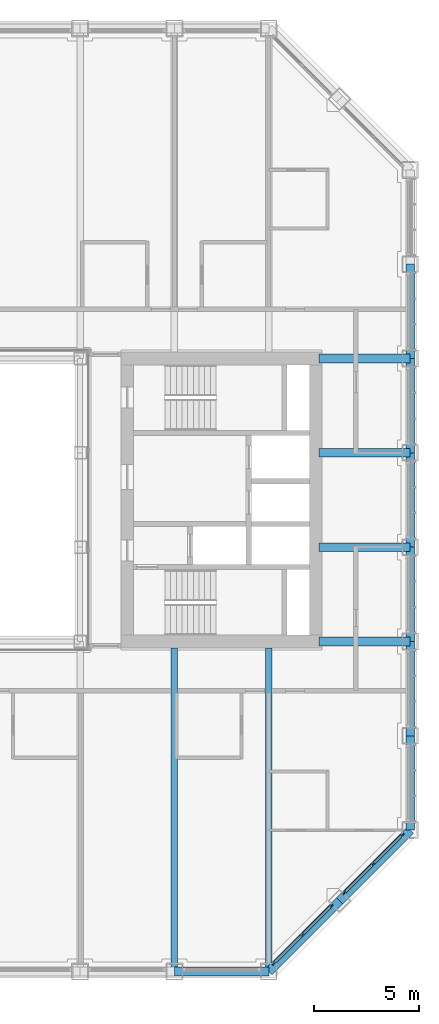
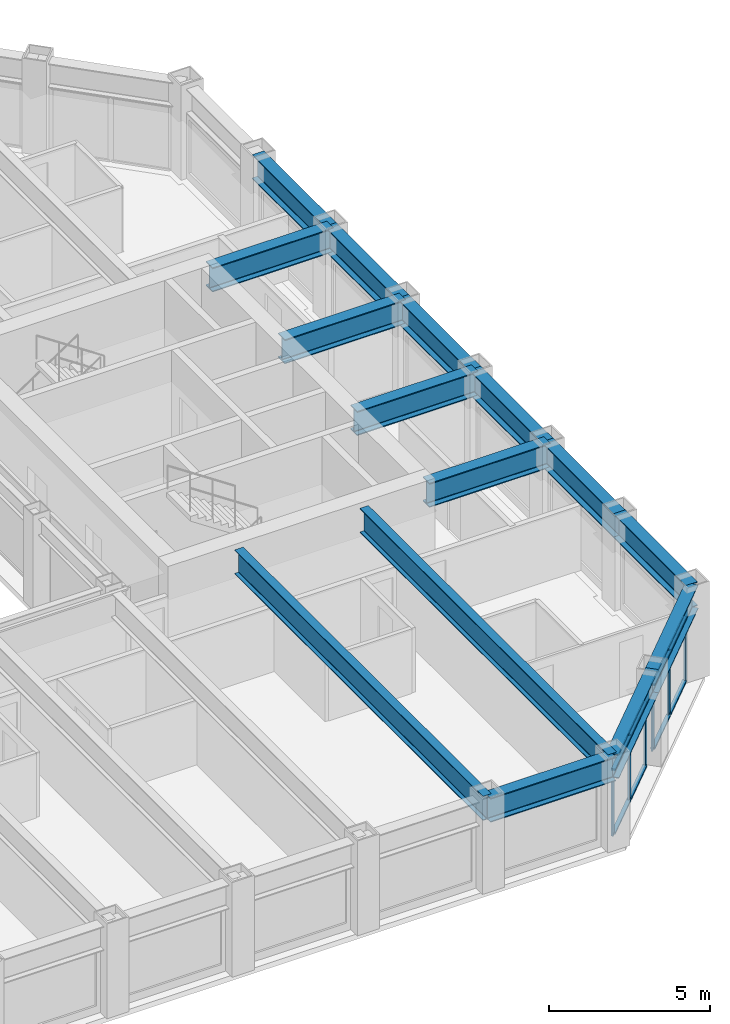
# One storey, part 6 of 17: 15 beams, 14 members, 2 elements without a shape of their own.
"""IFC4 building model written with IfcOpenShell, lengths in metres."""

from ifc_helpers import new_model, si_unit, direction, frame, origin, origin_2d, place, context, subcontext, project, spatial, rectangle, i_section, extrude, material, material_profile, profile_set, type_object, element, aggregate, save


model = new_model("IFC4")

# Units and contexts
model_context = context("Model", 3, precision=1e-05, world=origin(), true_north=direction((0.0, 1.0)))
body_context = subcontext(model_context, "Body", "Model", "MODEL_VIEW")
ifc_project = project(units=[si_unit("LENGTHUNIT", "METRE"), si_unit("AREAUNIT", "SQUARE_METRE"), si_unit("VOLUMEUNIT", "CUBIC_METRE"), si_unit("PLANEANGLEUNIT", "RADIAN"), si_unit("MASSUNIT", "GRAM", prefix="KILO")], contexts=[model_context])

# Site, building, storey
site_placement = place(None, origin())
site = spatial("IfcSite", under=ifc_project, at=site_placement, CompositionType="ELEMENT")
building_placement = place(site_placement, origin())
building = spatial("IfcBuilding", under=site, at=building_placement, Name="Msasa Ring Tower", CompositionType="ELEMENT")
storey_placement = place(building_placement, frame((0.0, 0.0, 158.0)))
storey = spatial("IfcBuildingStorey", under=building, at=storey_placement, Name="L41", CompositionType="ELEMENT", Elevation=158.0)

# Curtain wall, members
ifc_material_1 = material(Name="Aluminium curtain wall with clear glass", Category="aluminium")
curtain_wall_type = type_object("IfcCurtainWallType", Name="CW-C CHAMFER CORNER CURTAIN WALL", PredefinedType="NOTDEFINED", material=ifc_material_1)
curtain_wall_1_placement = place(storey_placement, origin())
curtain_wall_1 = element("IfcCurtainWall", 1, at=curtain_wall_1_placement, inside=storey, type_object=curtain_wall_type, Name="Chamfer corner curtain wall SE L41", PredefinedType="NOTDEFINED")
ifc_material_2 = material(Name="Aluminium mullion", Category="aluminium")
ifc_material_profile_1 = material_profile(ifc_material_2, rectangle(XDim=0.06494140625, YDim=0.179931640625, at=origin_2d()), Name="AL 65x180")
ifc_profile_set_1 = profile_set([ifc_material_profile_1], Name="Aluminium mullion")
member_type_1 = type_object("IfcMemberType", Name="CW-C MULLION 65x180", PredefinedType="MULLION", material=ifc_profile_set_1)
member_1_placement = place(storey_placement, frame((15.98876953125, -22.119873046875, 0.0), z_axis=(0.0, 0.0, 1.0), x_axis=(-0.707106781187, 0.707106781187, 0.0)))
member_1 = element("IfcMember", 2, at=member_1_placement, type_object=member_type_1, Name="CW-C mullion 1", PredefinedType="MULLION", context=body_context, shape_type="SweptSolid", body=[
    extrude(rectangle(XDim=0.06494140625, YDim=0.179931640625, at=origin_2d()), origin(), (0.0, 0.0, 1.0), 2.47900390625),
])
member_2_placement = place(storey_placement, frame((17.36669921875, -20.74169921875, 0.0), z_axis=(0.0, 0.0, 1.0), x_axis=(-0.707106781187, 0.707106781187, 0.0)))
member_2 = element("IfcMember", 3, at=member_2_placement, type_object=member_type_1, Name="CW-C mullion 2", PredefinedType="MULLION", context=body_context, shape_type="SweptSolid", body=[
    extrude(rectangle(XDim=0.06494140625, YDim=0.179931640625, at=origin_2d()), origin(), (0.0, 0.0, 1.0), 2.47900390625),
])
member_3_placement = place(storey_placement, frame((18.744873046875, -19.36376953125, 0.0), z_axis=(0.0, 0.0, 1.0), x_axis=(-0.707106781187, 0.707106781187, 0.0)))
member_3 = element("IfcMember", 4, at=member_3_placement, type_object=member_type_1, Name="CW-C mullion 3", PredefinedType="MULLION", context=body_context, shape_type="SweptSolid", body=[
    extrude(rectangle(XDim=0.06494140625, YDim=0.179931640625, at=origin_2d()), origin(), (0.0, 0.0, 1.0), 2.47900390625),
])

curtain_wall_2_placement = place(storey_placement, origin())
curtain_wall_2 = element("IfcCurtainWall", 5, at=curtain_wall_2_placement, inside=storey, type_object=curtain_wall_type, Name="Chamfer corner curtain wall SE L41", PredefinedType="NOTDEFINED")
member_4_placement = place(storey_placement, frame((19.36376953125, -18.744873046875, 0.0), z_axis=(0.0, 0.0, 1.0), x_axis=(-0.707106781187, 0.707106781187, 0.0)))
member_4 = element("IfcMember", 6, at=member_4_placement, type_object=member_type_1, Name="CW-C mullion 1", PredefinedType="MULLION", context=body_context, shape_type="SweptSolid", body=[
    extrude(rectangle(XDim=0.06494140625, YDim=0.179931640625, at=origin_2d()), origin(), (0.0, 0.0, 1.0), 2.47900390625),
])
member_5_placement = place(storey_placement, frame((20.74169921875, -17.36669921875, 0.0), z_axis=(0.0, 0.0, 1.0), x_axis=(-0.707106781187, 0.707106781187, 0.0)))
member_5 = element("IfcMember", 7, at=member_5_placement, type_object=member_type_1, Name="CW-C mullion 2", PredefinedType="MULLION", context=body_context, shape_type="SweptSolid", body=[
    extrude(rectangle(XDim=0.06494140625, YDim=0.179931640625, at=origin_2d()), origin(), (0.0, 0.0, 1.0), 2.47900390625),
])
member_6_placement = place(storey_placement, frame((22.119873046875, -15.98876953125, 0.0), z_axis=(0.0, 0.0, 1.0), x_axis=(-0.707106781187, 0.707106781187, 0.0)))
member_6 = element("IfcMember", 8, at=member_6_placement, type_object=member_type_1, Name="CW-C mullion 3", PredefinedType="MULLION", context=body_context, shape_type="SweptSolid", body=[
    extrude(rectangle(XDim=0.06494140625, YDim=0.179931640625, at=origin_2d()), origin(), (0.0, 0.0, 1.0), 2.47900390625),
])

# Member
ifc_material_3 = material(Name="Aluminium transom", Category="aluminium")
ifc_material_profile_2 = material_profile(ifc_material_3, rectangle(XDim=0.139892578125, YDim=0.06494140625, at=origin_2d()), Name="AL 65x140")
ifc_profile_set_2 = profile_set([ifc_material_profile_2], Name="Aluminium transom")
member_type_2 = type_object("IfcMemberType", Name="CW-C TRANSOM 65x140", PredefinedType="USERDEFINED", material=ifc_profile_set_2)
member_7_placement = place(storey_placement, frame((16.01171875, -22.096923828125, 0.032470703125), z_axis=(0.707106781187, 0.707106781187, 0.0), x_axis=(-0.707106781187, 0.707106781187, 0.0)))
member_7 = element("IfcMember", 9, at=member_7_placement, type_object=member_type_2, Name="CW-C transom 1.1", ObjectType="TRANSOM", PredefinedType="USERDEFINED", context=body_context, shape_type="SweptSolid", body=[
    extrude(rectangle(XDim=0.139892578125, YDim=0.06494140625, at=origin_2d()), origin(), (0.0, 0.0, 1.0), 1.8837890625),
])

member_8_placement = place(storey_placement, frame((16.01171875, -22.096923828125, 2.446533203125), z_axis=(0.707106781187, 0.707106781187, 0.0), x_axis=(-0.707106781187, 0.707106781187, 0.0)))
member_8 = element("IfcMember", 10, at=member_8_placement, type_object=member_type_2, Name="CW-C transom 1.2", ObjectType="TRANSOM", PredefinedType="USERDEFINED", context=body_context, shape_type="SweptSolid", body=[
    extrude(rectangle(XDim=0.139892578125, YDim=0.06494140625, at=origin_2d()), origin(), (0.0, 0.0, 1.0), 1.8837890625),
])

member_9_placement = place(storey_placement, frame((17.389892578125, -20.71875, 0.032470703125), z_axis=(0.707106781187, 0.707106781187, 0.0), x_axis=(-0.707106781187, 0.707106781187, 0.0)))
member_9 = element("IfcMember", 11, at=member_9_placement, type_object=member_type_2, Name="CW-C transom 2.1", ObjectType="TRANSOM", PredefinedType="USERDEFINED", context=body_context, shape_type="SweptSolid", body=[
    extrude(rectangle(XDim=0.139892578125, YDim=0.06494140625, at=origin_2d()), origin(), (0.0, 0.0, 1.0), 1.8837890625),
])

member_10_placement = place(storey_placement, frame((17.389892578125, -20.71875, 2.446533203125), z_axis=(0.707106781187, 0.707106781187, 0.0), x_axis=(-0.707106781187, 0.707106781187, 0.0)))
member_10 = element("IfcMember", 12, at=member_10_placement, type_object=member_type_2, Name="CW-C transom 2.2", ObjectType="TRANSOM", PredefinedType="USERDEFINED", context=body_context, shape_type="SweptSolid", body=[
    extrude(rectangle(XDim=0.139892578125, YDim=0.06494140625, at=origin_2d()), origin(), (0.0, 0.0, 1.0), 1.8837890625),
])

aggregate(curtain_wall_1, [member_1, member_2, member_3, member_7, member_8, member_9, member_10])

member_11_placement = place(storey_placement, frame((19.38671875, -18.721923828125, 0.032470703125), z_axis=(0.707106781187, 0.707106781187, 0.0), x_axis=(-0.707106781187, 0.707106781187, 0.0)))
member_11 = element("IfcMember", 13, at=member_11_placement, type_object=member_type_2, Name="CW-C transom 1.1", ObjectType="TRANSOM", PredefinedType="USERDEFINED", context=body_context, shape_type="SweptSolid", body=[
    extrude(rectangle(XDim=0.139892578125, YDim=0.06494140625, at=origin_2d()), origin(), (0.0, 0.0, 1.0), 1.8837890625),
])

member_12_placement = place(storey_placement, frame((19.38671875, -18.721923828125, 2.446533203125), z_axis=(0.707106781187, 0.707106781187, 0.0), x_axis=(-0.707106781187, 0.707106781187, 0.0)))
member_12 = element("IfcMember", 14, at=member_12_placement, type_object=member_type_2, Name="CW-C transom 1.2", ObjectType="TRANSOM", PredefinedType="USERDEFINED", context=body_context, shape_type="SweptSolid", body=[
    extrude(rectangle(XDim=0.139892578125, YDim=0.06494140625, at=origin_2d()), origin(), (0.0, 0.0, 1.0), 1.8837890625),
])

member_13_placement = place(storey_placement, frame((20.764892578125, -17.34375, 0.032470703125), z_axis=(0.707106781187, 0.707106781187, 0.0), x_axis=(-0.707106781187, 0.707106781187, 0.0)))
member_13 = element("IfcMember", 15, at=member_13_placement, type_object=member_type_2, Name="CW-C transom 2.1", ObjectType="TRANSOM", PredefinedType="USERDEFINED", context=body_context, shape_type="SweptSolid", body=[
    extrude(rectangle(XDim=0.139892578125, YDim=0.06494140625, at=origin_2d()), origin(), (0.0, 0.0, 1.0), 1.8837890625),
])

member_14_placement = place(storey_placement, frame((20.764892578125, -17.34375, 2.446533203125), z_axis=(0.707106781187, 0.707106781187, 0.0), x_axis=(-0.707106781187, 0.707106781187, 0.0)))
member_14 = element("IfcMember", 16, at=member_14_placement, type_object=member_type_2, Name="CW-C transom 2.2", ObjectType="TRANSOM", PredefinedType="USERDEFINED", context=body_context, shape_type="SweptSolid", body=[
    extrude(rectangle(XDim=0.139892578125, YDim=0.06494140625, at=origin_2d()), origin(), (0.0, 0.0, 1.0), 1.8837890625),
])

aggregate(curtain_wall_2, [member_4, member_5, member_6, member_11, member_12, member_13, member_14])

# Beams
ifc_material_4 = material(Name="Steel S355", Category="steel")
ifc_material_profile_3 = material_profile(ifc_material_4, i_section(OverallWidth=0.42041015625, OverallDepth=0.9208984375, WebThickness=0.021484375, FlangeThickness=0.03662109375, FilletRadius=0.024169921875, at=origin_2d()), Name="UB 914x419x388")
ifc_profile_set_3 = profile_set([ifc_material_profile_3], Name="Steel S355")
beam_type_1 = type_object("IfcBeamType", Name="FB2 UB 914x419x388", PredefinedType="BEAM", material=ifc_profile_set_3)
for number, where, z_axis, x_axis, name in (
    (17, (22.5, -2.25, 2.939453125), (-1.0, 0.0, 0.0), (0.0, -1.0, 0.0), "Floor beam E -2.25 under L42"),
    (18, (22.5, 2.25, 2.939453125), (-1.0, 0.0, 0.0), (0.0, -1.0, 0.0), "Floor beam E +2.25 under L42"),
):
    element("IfcBeam", number, at=place(storey_placement, frame(where, z_axis=z_axis, x_axis=x_axis)), inside=storey, type_object=beam_type_1, Name=name, PredefinedType="BEAM", context=body_context, shape_type="SweptSolid", body=[
        extrude(i_section(OverallWidth=0.42041015625, OverallDepth=0.9208984375, WebThickness=0.021484375, FlangeThickness=0.03662109375, FilletRadius=0.024169921875, at=origin_2d()), origin(), (0.0, 0.0, 1.0), 4.35009765625),
    ])
ifc_material_5 = material(Name="Steel S355", Category="steel")
ifc_material_profile_4 = material_profile(ifc_material_5, i_section(OverallWidth=0.3076171875, OverallDepth=0.926513671875, WebThickness=0.01953125, FlangeThickness=0.031982421875, FilletRadius=0.01904296875, at=origin_2d()), Name="UB 914x305x289")
ifc_profile_set_4 = profile_set([ifc_material_profile_4], Name="Steel S355")
beam_type_2 = type_object("IfcBeamType", Name="FB3 UB 914x305x289", PredefinedType="BEAM", material=ifc_profile_set_4)
for number, where, z_axis, x_axis, name in (
    (19, (11.25, -22.5, 2.936767578125), (0.0, 1.0, 0.0), (-1.0, 0.0, 0.0), "Floor beam S+11.25 under L42"),
    (20, (15.75, -22.5, 2.936767578125), (0.0, 1.0, 0.0), (-1.0, 0.0, 0.0), "Floor beam S+15.75 under L42"),
):
    element("IfcBeam", number, at=place(storey_placement, frame(where, z_axis=z_axis, x_axis=x_axis)), inside=storey, type_object=beam_type_2, Name=name, PredefinedType="BEAM", context=body_context, shape_type="SweptSolid", body=[
        extrude(i_section(OverallWidth=0.3076171875, OverallDepth=0.926513671875, WebThickness=0.01953125, FlangeThickness=0.031982421875, FilletRadius=0.01904296875, at=origin_2d()), origin(), (0.0, 0.0, 1.0), 15.449951171875),
    ])
ifc_material_6 = material(Name="Steel S355", Category="steel")
ifc_material_profile_5 = material_profile(ifc_material_6, i_section(OverallWidth=0.42041015625, OverallDepth=0.9208984375, WebThickness=0.021484375, FlangeThickness=0.03662109375, FilletRadius=0.024169921875, at=origin_2d()), Name="UB 914x419x388")
ifc_profile_set_5 = profile_set([ifc_material_profile_5], Name="Steel S355")
beam_type_3 = type_object("IfcBeamType", Name="GB1 UB 914x419x388", PredefinedType="BEAM", material=ifc_profile_set_5)
for number, where, z_axis, x_axis, name in (
    (21, (18.14990234375, 6.75, 2.939453125), (1.0, 0.0, 0.0), (0.0, 1.0, 0.0), "Girder E +6.75 under L42"),
    (22, (18.14990234375, -6.75, 2.939453125), (1.0, 0.0, 0.0), (0.0, 1.0, 0.0), "Girder E -6.75 under L42"),
):
    element("IfcBeam", number, at=place(storey_placement, frame(where, z_axis=z_axis, x_axis=x_axis)), inside=storey, type_object=beam_type_3, Name=name, PredefinedType="BEAM", context=body_context, shape_type="SweptSolid", body=[
        extrude(i_section(OverallWidth=0.42041015625, OverallDepth=0.9208984375, WebThickness=0.021484375, FlangeThickness=0.03662109375, FilletRadius=0.024169921875, at=origin_2d()), origin(), (0.0, 0.0, 1.0), 4.35009765625),
    ])
ifc_material_7 = material(Name="Steel S355", Category="steel")
ifc_material_profile_6 = material_profile(ifc_material_7, i_section(OverallWidth=0.42041015625, OverallDepth=0.9208984375, WebThickness=0.021484375, FlangeThickness=0.03662109375, FilletRadius=0.024169921875, at=origin_2d()), Name="UB 914x419x388")
ifc_profile_set_6 = profile_set([ifc_material_profile_6], Name="Steel S355")
beam_type_4 = type_object("IfcBeamType", Name="SB1 UB 914x419x388", PredefinedType="SPANDREL", material=ifc_profile_set_6)
beam_placement = place(storey_placement, frame((11.25, -22.5, 2.939453125), z_axis=(1.0, 0.0, 0.0), x_axis=(0.0, 1.0, 0.0)))
element("IfcBeam", 23, at=beam_placement, inside=storey, type_object=beam_type_4, Name="Spandrel S+11.25 to S+15.75 under L42", PredefinedType="SPANDREL", context=body_context, shape_type="SweptSolid", body=[
    extrude(i_section(OverallWidth=0.42041015625, OverallDepth=0.9208984375, WebThickness=0.021484375, FlangeThickness=0.03662109375, FilletRadius=0.024169921875, at=origin_2d()), origin(), (0.0, 0.0, 1.0), 4.5),
])
for number, where, z_axis, x_axis, name in (
    (24, (15.75, -22.5, 2.939453125), (0.707106781187, 0.707106781187, 0.0), (-0.707106781187, 0.707106781187, 0.0), "Spandrel S+15.75 to SE under L42"),
    (25, (19.125, -19.125, 2.939453125), (0.707106781187, 0.707106781187, 0.0), (-0.707106781187, 0.707106781187, 0.0), "Spandrel SE to E-15.75 under L42"),
):
    element("IfcBeam", number, at=place(storey_placement, frame(where, z_axis=z_axis, x_axis=x_axis)), inside=storey, type_object=beam_type_4, Name=name, PredefinedType="SPANDREL", context=body_context, shape_type="SweptSolid", body=[
        extrude(i_section(OverallWidth=0.42041015625, OverallDepth=0.9208984375, WebThickness=0.021484375, FlangeThickness=0.03662109375, FilletRadius=0.024169921875, at=origin_2d()), origin(), (0.0, 0.0, 1.0), 4.77294921875),
    ])
for number, where, z_axis, x_axis, name in (
    (26, (22.5, -15.75, 2.939453125), (0.0, 1.0, 0.0), (-1.0, 0.0, 0.0), "Spandrel E-15.75 to E-11.25 under L42"),
    (27, (22.5, -11.25, 2.939453125), (0.0, 1.0, 0.0), (-1.0, 0.0, 0.0), "Spandrel E-11.25 to E-6.75 under L42"),
    (28, (22.5, -6.75, 2.939453125), (0.0, 1.0, 0.0), (-1.0, 0.0, 0.0), "Spandrel E-6.75 to E-2.25 under L42"),
    (29, (22.5, -2.25, 2.939453125), (0.0, 1.0, 0.0), (-1.0, 0.0, 0.0), "Spandrel E-2.25 to E+2.25 under L42"),
    (30, (22.5, 2.25, 2.939453125), (0.0, 1.0, 0.0), (-1.0, 0.0, 0.0), "Spandrel E+2.25 to E+6.75 under L42"),
    (31, (22.5, 6.75, 2.939453125), (0.0, 1.0, 0.0), (-1.0, 0.0, 0.0), "Spandrel E+6.75 to E+11.25 under L42"),
):
    element("IfcBeam", number, at=place(storey_placement, frame(where, z_axis=z_axis, x_axis=x_axis)), inside=storey, type_object=beam_type_4, Name=name, PredefinedType="SPANDREL", context=body_context, shape_type="SweptSolid", body=[
        extrude(i_section(OverallWidth=0.42041015625, OverallDepth=0.9208984375, WebThickness=0.021484375, FlangeThickness=0.03662109375, FilletRadius=0.024169921875, at=origin_2d()), origin(), (0.0, 0.0, 1.0), 4.5),
    ])

save(model, "model.ifc")
